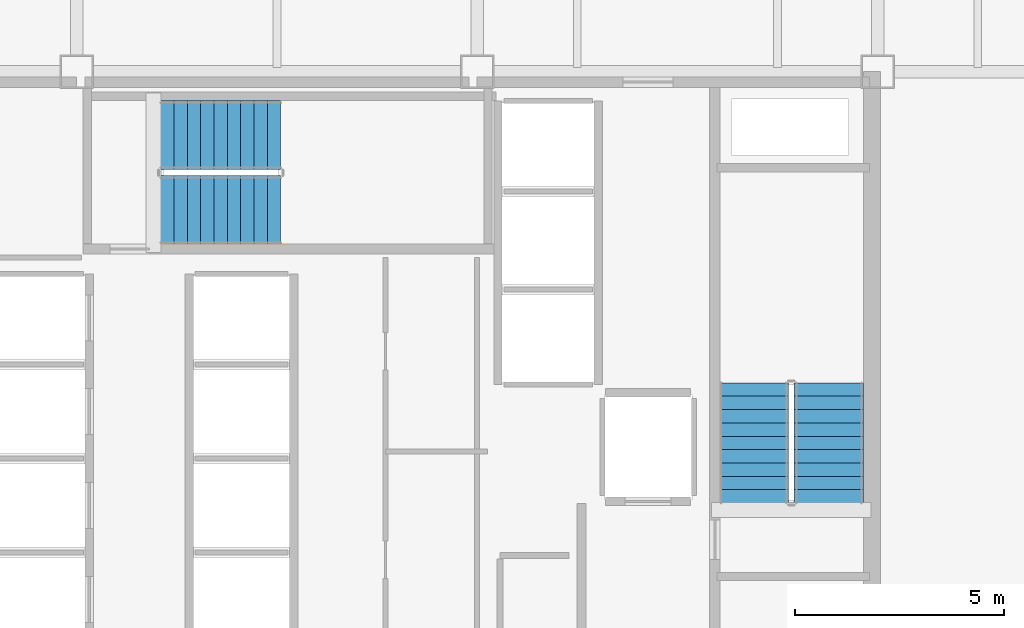
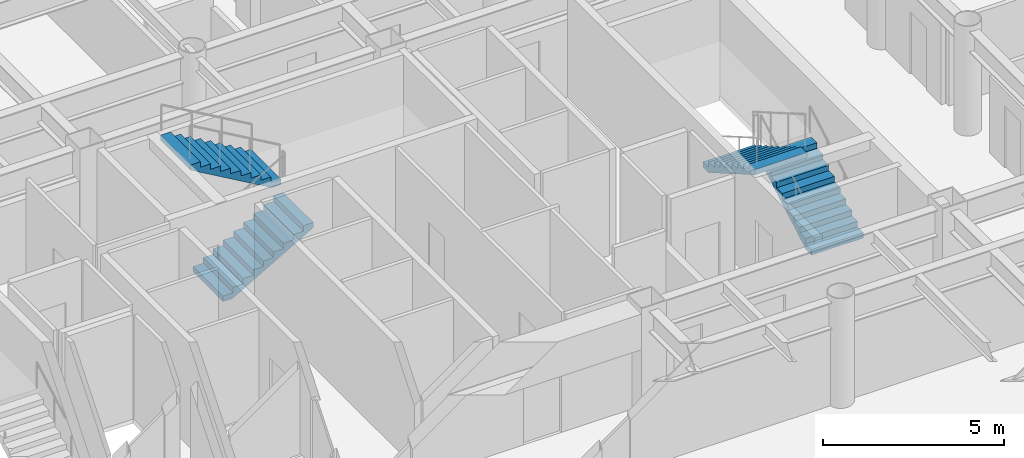
# One storey, part 18 of 19: 4 stair flights, 2 elements without a shape of their own.
"""IFC4 building model written with IfcOpenShell, lengths in metres."""

from ifc_helpers import new_model, si_unit, direction, frame, origin, place, context, subcontext, project, spatial, polyline, outline, extrude, material, type_object, element, aggregate, save


model = new_model("IFC4")

# Units and contexts
model_context = context("Model", 3, precision=1e-05, world=origin(), true_north=direction((0.0, 1.0)))
body_context = subcontext(model_context, "Body", "Model", "MODEL_VIEW")
ifc_project = project(units=[si_unit("LENGTHUNIT", "METRE"), si_unit("AREAUNIT", "SQUARE_METRE"), si_unit("VOLUMEUNIT", "CUBIC_METRE"), si_unit("PLANEANGLEUNIT", "RADIAN"), si_unit("MASSUNIT", "GRAM", prefix="KILO")], contexts=[model_context])

# Site, building, storey
site_placement = place(None, origin())
site = spatial("IfcSite", under=ifc_project, at=site_placement, CompositionType="ELEMENT")
building_placement = place(site_placement, origin())
building = spatial("IfcBuilding", under=site, at=building_placement, Name="Kallvorn Hotel Tower", CompositionType="ELEMENT")
storey_placement = place(building_placement, frame((0.0, 0.0, 67.0)))
storey = spatial("IfcBuildingStorey", under=building, at=storey_placement, Name="L15", CompositionType="ELEMENT", Elevation=67.0)

# Stair, stair flights
ifc_material_1 = material(Name="Precast concrete C40/50", Category="concrete")
stair_type = type_object("IfcStairType", Name="STR_CORE_DOGLEG", PredefinedType="HALF_TURN_STAIR", material=ifc_material_1)
stair_1_placement = place(storey_placement, origin())
stair_1 = element("IfcStair", 1, at=stair_1_placement, inside=storey, type_object=stair_type, Name="L15 Exit stair ST2", PredefinedType="HALF_TURN_STAIR")
ifc_material_2 = material(Name="Precast concrete C40/50", Category="concrete")
stair_flight_type = type_object("IfcStairFlightType", Name="FLT_CORE_1660", PredefinedType="STRAIGHT", material=ifc_material_2)
stair_flight_1_placement = place(storey_placement, frame((13.22998046875, -3.139892578125, 0.0), z_axis=(0.0, 0.0, 1.0), x_axis=(0.0, 1.0, 0.0)))
stair_flight_1 = element("IfcStairFlight", 2, at=stair_flight_1_placement, type_object=stair_flight_type, Name="ST2 flight 1", NumberOfRisers=10, NumberOfTreads=9, PredefinedType="STRAIGHT", RiserHeight=0.185, TreadLength=0.32, context=body_context, shape_type="SweptSolid", body=[
    extrude(outline(polyline([(0.0, 0.0), (0.0, 0.18505859375), (0.320068359375, 0.18505859375), (0.320068359375, 0.3701171875), (0.639892578125, 0.3701171875), (0.639892578125, 0.554931640625), (0.9599609375, 0.554931640625), (0.9599609375, 0.739990234375), (1.280029296875, 0.739990234375), (1.280029296875, 0.925048828125), (1.60009765625, 0.925048828125), (1.60009765625, 1.110107421875), (1.919921875, 1.110107421875), (1.919921875, 1.294921875), (2.239990234375, 1.294921875), (2.239990234375, 1.47998046875), (2.56005859375, 1.47998046875), (2.56005859375, 1.6650390625), (2.8798828125, 1.6650390625), (2.8798828125, 1.85009765625), (2.8798828125, 1.491943359375), (0.299560546875, 0.0), (0.0, 0.0)])), frame((0.0, 0.830078125, 0.0), z_axis=(0.0, -1.0, 0.0), x_axis=(1.0, 0.0, 0.0)), (0.0, 0.0, 1.0), 1.659912109375),
])
stair_flight_2_placement = place(storey_placement, frame((11.429931640625, -0.260009765625, 1.85009765625), z_axis=(0.0, 0.0, 1.0), x_axis=(0.0, -1.0, 0.0)))
stair_flight_2 = element("IfcStairFlight", 3, at=stair_flight_2_placement, type_object=stair_flight_type, Name="ST2 flight 2", NumberOfRisers=10, NumberOfTreads=9, PredefinedType="STRAIGHT", RiserHeight=0.185, TreadLength=0.32, context=body_context, shape_type="SweptSolid", body=[
    extrude(outline(polyline([(0.0, 0.0), (0.0, 0.18505859375), (0.320068359375, 0.18505859375), (0.320068359375, 0.3701171875), (0.639892578125, 0.3701171875), (0.639892578125, 0.554931640625), (0.9599609375, 0.554931640625), (0.9599609375, 0.739990234375), (1.280029296875, 0.739990234375), (1.280029296875, 0.925048828125), (1.60009765625, 0.925048828125), (1.60009765625, 1.110107421875), (1.919921875, 1.110107421875), (1.919921875, 1.294921875), (2.239990234375, 1.294921875), (2.239990234375, 1.47998046875), (2.56005859375, 1.47998046875), (2.56005859375, 1.6650390625), (2.8798828125, 1.6650390625), (2.8798828125, 1.85009765625), (2.8798828125, 1.491943359375), (0.299560546875, 0.0), (0.0, 0.0)])), frame((0.0, 0.830078125, 0.0), z_axis=(0.0, -1.0, 0.0), x_axis=(1.0, 0.0, 0.0)), (0.0, 0.0, 1.0), 1.659912109375),
])
aggregate(stair_1, [stair_flight_1, stair_flight_2])

stair_2_placement = place(storey_placement, origin())
stair_2 = element("IfcStair", 4, at=stair_2_placement, inside=storey, type_object=stair_type, Name="L15 Exit stair ST3", PredefinedType="HALF_TURN_STAIR")
stair_flight_3_placement = place(storey_placement, frame((-2.7900390625, 3.8798828125, 0.0), z_axis=(0.0, 0.0, 1.0), x_axis=(1.0, 0.0, 0.0)))
stair_flight_3 = element("IfcStairFlight", 5, at=stair_flight_3_placement, type_object=stair_flight_type, Name="ST3 flight 1", NumberOfRisers=10, NumberOfTreads=9, PredefinedType="STRAIGHT", RiserHeight=0.185, TreadLength=0.32, context=body_context, shape_type="SweptSolid", body=[
    extrude(outline(polyline([(0.0, 0.0), (0.0, 0.18505859375), (0.320068359375, 0.18505859375), (0.320068359375, 0.3701171875), (0.639892578125, 0.3701171875), (0.639892578125, 0.554931640625), (0.9599609375, 0.554931640625), (0.9599609375, 0.739990234375), (1.280029296875, 0.739990234375), (1.280029296875, 0.925048828125), (1.60009765625, 0.925048828125), (1.60009765625, 1.110107421875), (1.919921875, 1.110107421875), (1.919921875, 1.294921875), (2.239990234375, 1.294921875), (2.239990234375, 1.47998046875), (2.56005859375, 1.47998046875), (2.56005859375, 1.6650390625), (2.8798828125, 1.6650390625), (2.8798828125, 1.85009765625), (2.8798828125, 1.491943359375), (0.299560546875, 0.0), (0.0, 0.0)])), frame((0.0, 0.830078125, 0.0), z_axis=(0.0, -1.0, 0.0), x_axis=(1.0, 0.0, 0.0)), (0.0, 0.0, 1.0), 1.659912109375),
])
stair_flight_4_placement = place(storey_placement, frame((0.090087890625, 5.679931640625, 1.85009765625), z_axis=(0.0, 0.0, 1.0), x_axis=(-1.0, 0.0, 0.0)))
stair_flight_4 = element("IfcStairFlight", 6, at=stair_flight_4_placement, type_object=stair_flight_type, Name="ST3 flight 2", NumberOfRisers=10, NumberOfTreads=9, PredefinedType="STRAIGHT", RiserHeight=0.185, TreadLength=0.32, context=body_context, shape_type="SweptSolid", body=[
    extrude(outline(polyline([(0.0, 0.0), (0.0, 0.18505859375), (0.320068359375, 0.18505859375), (0.320068359375, 0.3701171875), (0.639892578125, 0.3701171875), (0.639892578125, 0.554931640625), (0.9599609375, 0.554931640625), (0.9599609375, 0.739990234375), (1.280029296875, 0.739990234375), (1.280029296875, 0.925048828125), (1.60009765625, 0.925048828125), (1.60009765625, 1.110107421875), (1.919921875, 1.110107421875), (1.919921875, 1.294921875), (2.239990234375, 1.294921875), (2.239990234375, 1.47998046875), (2.56005859375, 1.47998046875), (2.56005859375, 1.6650390625), (2.8798828125, 1.6650390625), (2.8798828125, 1.85009765625), (2.8798828125, 1.491943359375), (0.299560546875, 0.0), (0.0, 0.0)])), frame((0.0, 0.830078125, 0.0), z_axis=(0.0, -1.0, 0.0), x_axis=(1.0, 0.0, 0.0)), (0.0, 0.0, 1.0), 1.659912109375),
])
aggregate(stair_2, [stair_flight_3, stair_flight_4])

save(model, "model.ifc")
